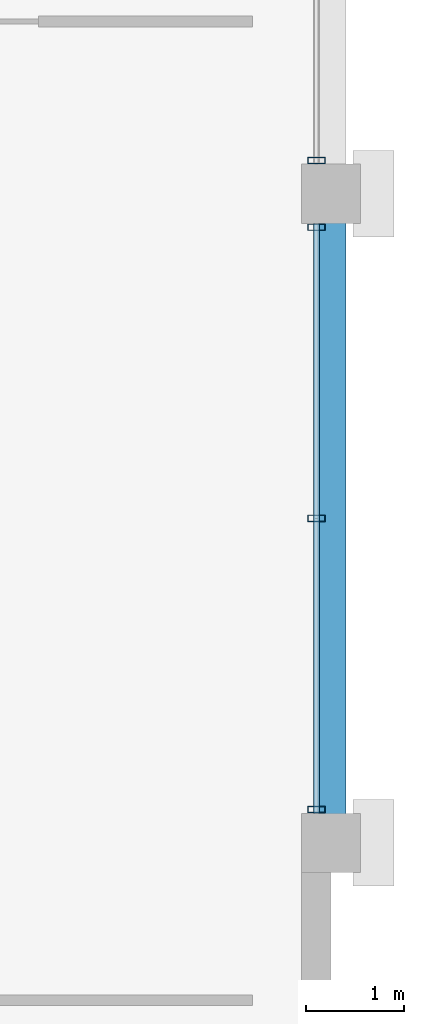
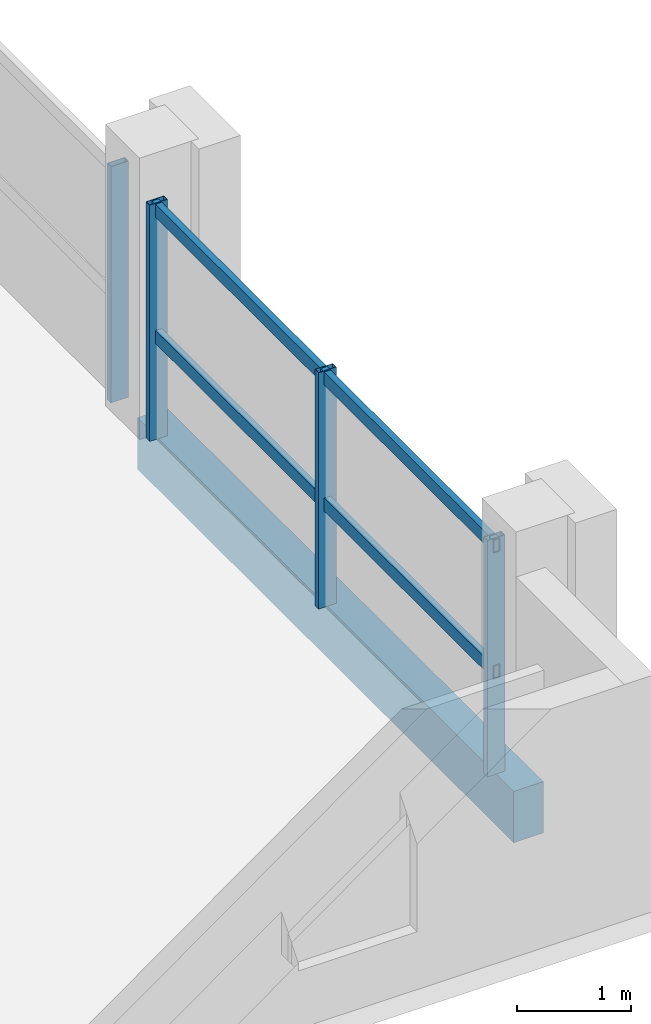
# One storey, part 11 of 24: 6 members, 1 beam, 2 elements without a shape of their own.
"""IFC4 building model written with IfcOpenShell, lengths in metres."""

from ifc_helpers import new_model, si_unit, direction, frame, origin, origin_2d, place, context, subcontext, project, spatial, rectangle, hollow_rectangle, extrude, material, material_profile, profile_set, type_object, element, aggregate, save


model = new_model("IFC4")

# Units and contexts
model_context = context("Model", 3, precision=1e-05, world=origin(), true_north=direction((0.0, 1.0)))
body_context = subcontext(model_context, "Body", "Model", "MODEL_VIEW")
ifc_project = project(units=[si_unit("LENGTHUNIT", "METRE"), si_unit("AREAUNIT", "SQUARE_METRE"), si_unit("VOLUMEUNIT", "CUBIC_METRE"), si_unit("PLANEANGLEUNIT", "RADIAN"), si_unit("MASSUNIT", "GRAM", prefix="KILO")], contexts=[model_context])

# Site, building, storey
site_placement = place(None, origin())
site = spatial("IfcSite", under=ifc_project, at=site_placement, CompositionType="ELEMENT")
building_placement = place(site_placement, origin())
building = spatial("IfcBuilding", under=site, at=building_placement, Name="Akrevak Sports Hall", CompositionType="ELEMENT")
storey_placement = place(building_placement, frame((0.0, 0.0, 63.300048828125)))
storey = spatial("IfcBuildingStorey", under=building, at=storey_placement, Name="L16", CompositionType="ELEMENT", Elevation=63.300048828125)

# Curtain wall, members
ifc_material_1 = material(Name="Anodized Bronze Aluminium & Low-E Glass", Category="aluminium")
curtain_wall_type = type_object("IfcCurtainWallType", Name="ARC-CW-TWR-72x30", PredefinedType="NOTDEFINED", material=ifc_material_1)
curtain_wall_1_placement = place(storey_placement, origin())
curtain_wall_1 = element("IfcCurtainWall", 1, at=curtain_wall_1_placement, inside=storey, type_object=curtain_wall_type, Name="Curtain Wall CW-L16-E11", PredefinedType="NOTDEFINED")
ifc_material_2 = material(Name="Anodized Bronze Aluminium", Category="aluminium")
ifc_material_profile_1 = material_profile(ifc_material_2, hollow_rectangle(XDim=0.06494140625, YDim=0.179931640625, WallThickness=0.00390625, at=origin_2d()), Name="CWM 65x180", Category="aluminium")
ifc_profile_set_1 = profile_set([ifc_material_profile_1], Name="Anodized Bronze Aluminium")
member_type_1 = type_object("IfcMemberType", Name="ARC-CWM-65x140", PredefinedType="MULLION", material=ifc_profile_set_1)
member_1_placement = place(storey_placement, frame((107.85009765625, 42.340087890625, 0.0), z_axis=(0.0, 0.0, 1.0), x_axis=(0.0, 1.0, 0.0)))
member_1 = element("IfcMember", 2, at=member_1_placement, type_object=member_type_1, Name="Curtain Wall Mullion CW-L16-E11-M1", PredefinedType="MULLION", context=body_context, shape_type="SweptSolid", body=[
    extrude(hollow_rectangle(XDim=0.06494140625, YDim=0.179931640625, WallThickness=0.00390625, at=origin_2d()), origin(), (0.0, 0.0, 1.0), 2.530029296875),
])
member_2_placement = place(storey_placement, frame((107.85009765625, 45.300048828125, 0.0), z_axis=(0.0, 0.0, 1.0), x_axis=(0.0, 1.0, 0.0)))
member_2 = element("IfcMember", 3, at=member_2_placement, type_object=member_type_1, Name="Curtain Wall Mullion CW-L16-E11-M2", PredefinedType="MULLION", context=body_context, shape_type="SweptSolid", body=[
    extrude(hollow_rectangle(XDim=0.06494140625, YDim=0.179931640625, WallThickness=0.00390625, at=origin_2d()), origin(), (0.0, 0.0, 1.0), 2.530029296875),
])
member_3_placement = place(storey_placement, frame((107.85009765625, 48.260009765625, 0.0), z_axis=(0.0, 0.0, 1.0), x_axis=(0.0, 1.0, 0.0)))
member_3 = element("IfcMember", 4, at=member_3_placement, type_object=member_type_1, Name="Curtain Wall Mullion CW-L16-E11-M3", PredefinedType="MULLION", context=body_context, shape_type="SweptSolid", body=[
    extrude(hollow_rectangle(XDim=0.06494140625, YDim=0.179931640625, WallThickness=0.00390625, at=origin_2d()), origin(), (0.0, 0.0, 1.0), 2.530029296875),
])

# Curtain wall, member
curtain_wall_2_placement = place(storey_placement, origin())
curtain_wall_2 = element("IfcCurtainWall", 5, at=curtain_wall_2_placement, inside=storey, type_object=curtain_wall_type, Name="Curtain Wall CW-L16-E12", PredefinedType="NOTDEFINED")
member_4_placement = place(storey_placement, frame((107.85009765625, 48.93994140625, 0.0), z_axis=(0.0, 0.0, 1.0), x_axis=(0.0, 1.0, 0.0)))
member_4 = element("IfcMember", 6, at=member_4_placement, type_object=member_type_1, Name="Curtain Wall Mullion CW-L16-E12-M1", PredefinedType="MULLION", context=body_context, shape_type="SweptSolid", body=[
    extrude(hollow_rectangle(XDim=0.06494140625, YDim=0.179931640625, WallThickness=0.00390625, at=origin_2d()), origin(), (0.0, 0.0, 1.0), 2.530029296875),
])
aggregate(curtain_wall_2, [member_4])

# Member
ifc_material_profile_2 = material_profile(ifc_material_2, hollow_rectangle(XDim=0.06494140625, YDim=0.139892578125, WallThickness=0.00390625, at=origin_2d()), Name="CWT 65x140", Category="aluminium")
ifc_profile_set_2 = profile_set([ifc_material_profile_2], Name="Anodized Bronze Aluminium")
member_type_2 = type_object("IfcMemberType", Name="ARC-CWT-65x110", PredefinedType="USERDEFINED", material=ifc_profile_set_2)
member_5_placement = place(storey_placement, frame((107.85009765625, 42.300048828125, 1.099853515625), z_axis=(0.0, 1.0, 0.0), x_axis=(-1.0, 0.0, 0.0)))
member_5 = element("IfcMember", 7, at=member_5_placement, type_object=member_type_2, Name="Curtain Wall Transom CW-L16-E11-T1", ObjectType="TRANSOM", PredefinedType="USERDEFINED", context=body_context, shape_type="SweptSolid", body=[
    extrude(hollow_rectangle(XDim=0.06494140625, YDim=0.139892578125, WallThickness=0.00390625, at=origin_2d()), origin(), (0.0, 0.0, 1.0), 6.0),
])

member_6_placement = place(storey_placement, frame((107.85009765625, 42.300048828125, 2.449951171875), z_axis=(0.0, 1.0, 0.0), x_axis=(-1.0, 0.0, 0.0)))
member_6 = element("IfcMember", 8, at=member_6_placement, type_object=member_type_2, Name="Curtain Wall Transom CW-L16-E11-T2", ObjectType="TRANSOM", PredefinedType="USERDEFINED", context=body_context, shape_type="SweptSolid", body=[
    extrude(hollow_rectangle(XDim=0.06494140625, YDim=0.139892578125, WallThickness=0.00390625, at=origin_2d()), origin(), (0.0, 0.0, 1.0), 6.0),
])

aggregate(curtain_wall_1, [member_1, member_2, member_3, member_5, member_6])

# Beam
ifc_material_3 = material(Name="Concrete C40/50", Category="concrete")
ifc_material_profile_3 = material_profile(ifc_material_3, rectangle(XDim=0.300048828125, YDim=0.550048828125, at=origin_2d()), Name="BM 300x550", Category="concrete")
ifc_profile_set_3 = profile_set([ifc_material_profile_3], Name="Concrete C40/50")
beam_type = type_object("IfcBeamType", Name="STR-BM-RC300x550", PredefinedType="BEAM", material=ifc_profile_set_3)
beam_placement = place(storey_placement, frame((108.0, 42.0, -0.275146484375), z_axis=(0.0, 1.0, 0.0), x_axis=(-1.0, 0.0, 0.0)))
element("IfcBeam", 9, at=beam_placement, inside=storey, type_object=beam_type, Name="Girder 15/G-H (L16)", PredefinedType="BEAM", context=body_context, shape_type="SweptSolid", body=[
    extrude(rectangle(XDim=0.300048828125, YDim=0.550048828125, at=origin_2d()), origin(), (0.0, 0.0, 1.0), 6.60009765625),
])

save(model, "model.ifc")
